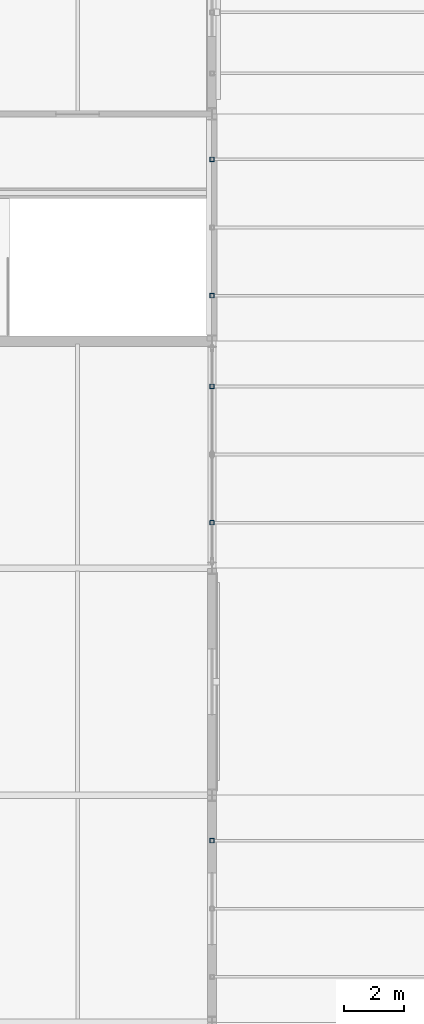
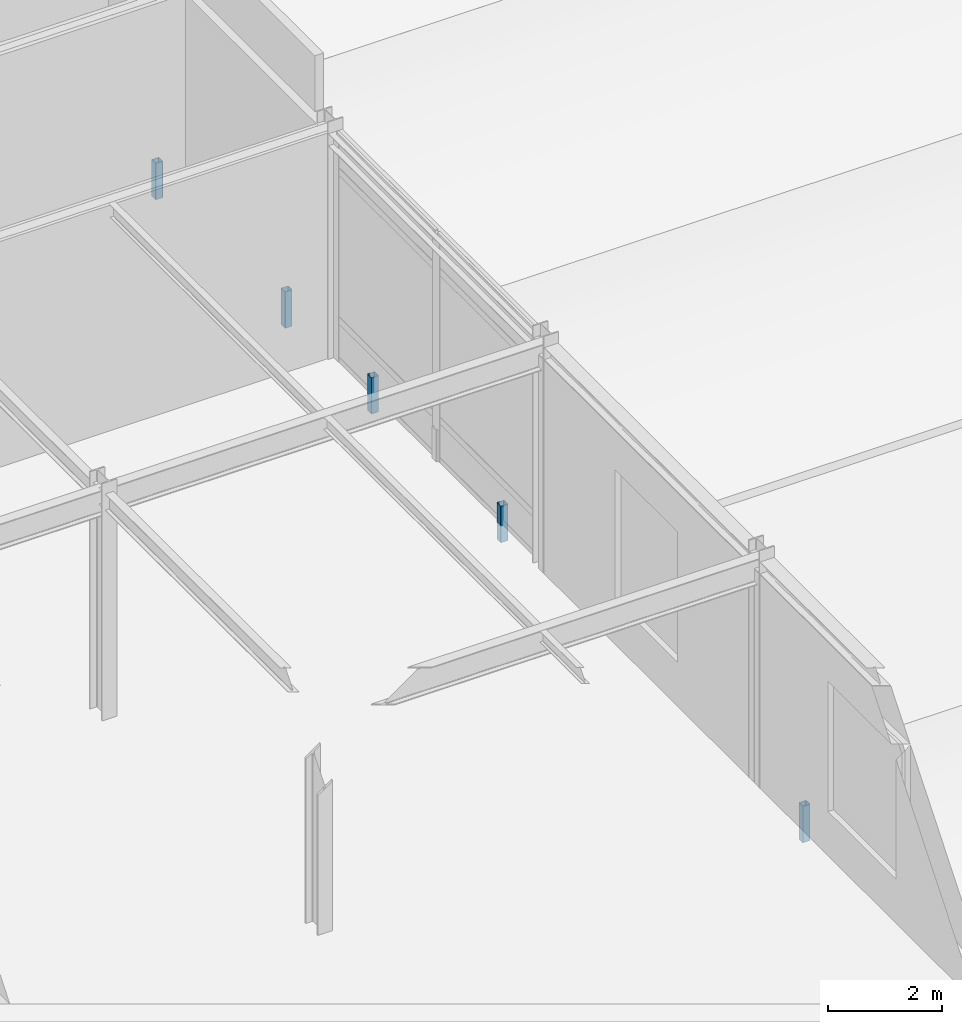
# One storey, part 84 of 113: 5 members.
"""IFC4 building model written with IfcOpenShell, lengths in metres."""

from ifc_helpers import new_model, si_unit, direction, frame, origin, origin_2d, place, context, subcontext, project, spatial, hollow_rectangle, extrude, material, material_profile, profile_set, type_object, element, save


model = new_model("IFC4")

# Units and contexts
model_context = context("Model", 3, precision=1e-05, world=origin(), true_north=direction((0.0, 1.0)))
body_context = subcontext(model_context, "Body", "Model", "MODEL_VIEW")
ifc_project = project(units=[si_unit("LENGTHUNIT", "METRE"), si_unit("AREAUNIT", "SQUARE_METRE"), si_unit("VOLUMEUNIT", "CUBIC_METRE"), si_unit("PLANEANGLEUNIT", "RADIAN"), si_unit("MASSUNIT", "GRAM", prefix="KILO")], contexts=[model_context])

# Site, building, storey
site_placement = place(None, origin())
site = spatial("IfcSite", under=ifc_project, at=site_placement, CompositionType="ELEMENT")
building_placement = place(site_placement, origin())
building = spatial("IfcBuilding", under=site, at=building_placement, Name="Shalkamar Park Central Library", CompositionType="ELEMENT")
storey_placement = place(building_placement, frame((0.0, 0.0, 5.39990234375)))
storey = spatial("IfcBuildingStorey", under=building, at=storey_placement, Name="L02", CompositionType="ELEMENT", Elevation=5.39990234375)

# Members
ifc_material = material(Name="Steel S355", Category="steel")
ifc_material_profile = material_profile(ifc_material, hollow_rectangle(XDim=0.14990234375, YDim=0.14990234375, WallThickness=0.008056640625, InnerFilletRadius=0.008056640625, OuterFilletRadius=0.011962890625, at=origin_2d()), Name="SHS 150x150x8")
ifc_profile_set = profile_set([ifc_material_profile], Name="Steel S355")
member_type = type_object("IfcMemberType", Name="Diagonal Brace SHS150", PredefinedType="BRACE", material=ifc_profile_set)
for number, where, z_axis, x_axis, name in (
    (1, (273.0, 306.8798828125, -0.35986328125), (0.0, 0.0, 1.0), (1.0, 0.0, 0.0), "Vault Arch Post BV-L01-E7-20.3"),
    (2, (273.0, 317.52001953125, -0.35986328125), (0.0, 0.0, 1.0), (1.0, 0.0, 0.0), "Vault Arch Post BV-L01-E8-20.1"),
    (3, (273.0, 322.080078125, -0.35986328125), (0.0, 0.0, 1.0), (1.0, 0.0, 0.0), "Vault Arch Post BV-L01-E8-20.3"),
    (4, (273.0, 325.1201171875, -0.35986328125), (0.0, 0.0, 1.0), (1.0, 0.0, 0.0), "Vault Arch Post BV-L01-E9-20.1"),
    (5, (273.0, 329.679931640625, -0.35986328125), (0.0, 0.0, 1.0), (1.0, 0.0, 0.0), "Vault Arch Post BV-L01-E9-20.3"),
):
    element("IfcMember", number, at=place(storey_placement, frame(where, z_axis=z_axis, x_axis=x_axis)), inside=storey, type_object=member_type, Name=name, PredefinedType="BRACE", context=body_context, shape_type="SweptSolid", body=[
        extrude(hollow_rectangle(XDim=0.14990234375, YDim=0.14990234375, WallThickness=0.008056640625, InnerFilletRadius=0.008056640625, OuterFilletRadius=0.011962890625, at=origin_2d()), origin(), (0.0, 0.0, 1.0), 0.78076171875),
    ])

save(model, "model.ifc")
